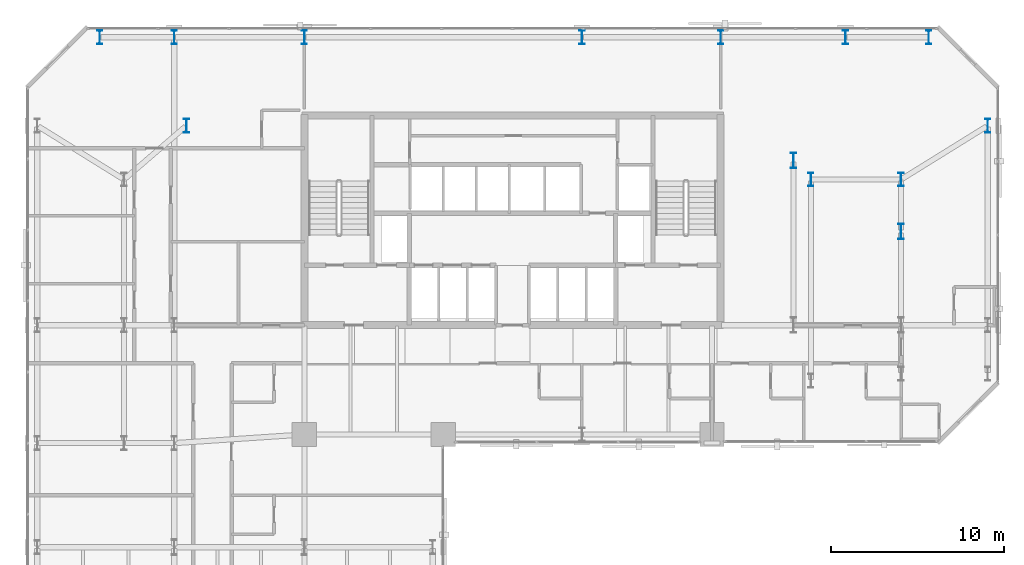
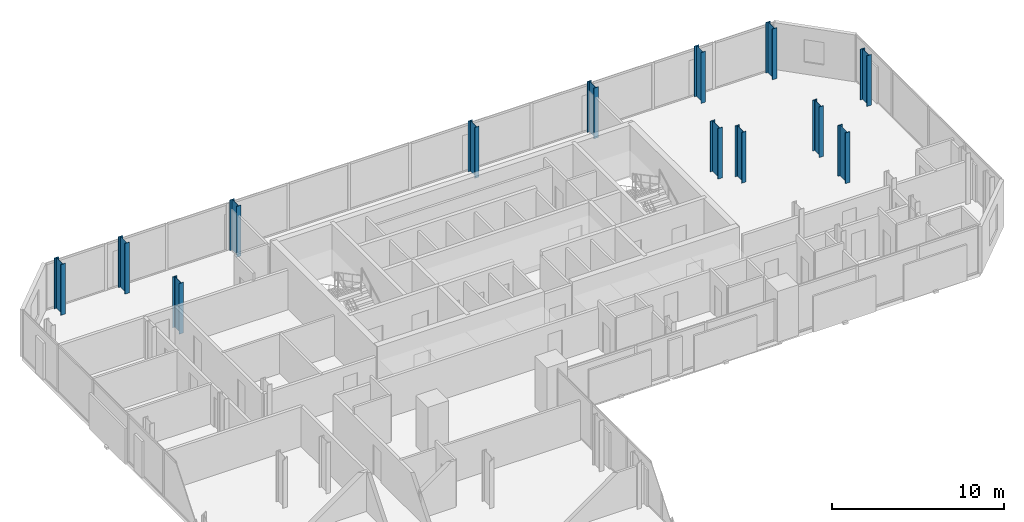
# One storey, part 2 of 32: 13 columns.
"""IFC4 building model written with IfcOpenShell, lengths in metres."""

from ifc_helpers import new_model, si_unit, direction, frame, origin, origin_2d, place, context, subcontext, project, spatial, i_section, extrude, material, material_profile, profile_set, type_object, element, save


model = new_model("IFC4")

# Units and contexts
model_context = context("Model", 3, precision=1e-05, world=origin(), true_north=direction((0.0, 1.0)))
body_context = subcontext(model_context, "Body", "Model", "MODEL_VIEW")
ifc_project = project(units=[si_unit("LENGTHUNIT", "METRE"), si_unit("AREAUNIT", "SQUARE_METRE"), si_unit("VOLUMEUNIT", "CUBIC_METRE"), si_unit("PLANEANGLEUNIT", "RADIAN"), si_unit("MASSUNIT", "GRAM", prefix="KILO")], contexts=[model_context])

# Site, building, storey
site_placement = place(None, origin())
site = spatial("IfcSite", under=ifc_project, at=site_placement, CompositionType="ELEMENT")
building_placement = place(site_placement, origin())
building = spatial("IfcBuilding", under=site, at=building_placement, Name="Catumbela Crestline Tower", CompositionType="ELEMENT")
storey_placement = place(building_placement, frame((0.0, 0.0, 61.8)))
storey = spatial("IfcBuildingStorey", under=building, at=storey_placement, Name="L15", CompositionType="ELEMENT", Elevation=61.8)

# Columns
ifc_material = material(Name="Structural steel S460M", Category="steel")
ifc_material_profile_1 = material_profile(ifc_material, i_section(OverallWidth=0.3, OverallDepth=0.8, WebThickness=0.0175, FlangeThickness=0.033, FilletRadius=0.03, at=origin_2d()), Name="HEB 800")
ifc_profile_set_1 = profile_set([ifc_material_profile_1], Name="Structural steel S460M")
column_type_1 = type_object("IfcColumnType", Name="C-ST-HEB800", PredefinedType="COLUMN", material=ifc_profile_set_1)
for number, where, z_axis, x_axis, name in (
    (1, (9.2, 42.3, 0.0), (0.0, 0.0, 1.0), (1.0, 0.0, 0.0), "L15 Column C-08-43 (HEB 800)"),
    (2, (45.2, 39.2, 0.0), (0.0, 0.0, 1.0), (1.0, 0.0, 0.0), "L15 Column C-46-43 (HEB 800)"),
    (3, (4.2, 47.4, 0.0), (0.0, 0.0, 1.0), (1.0, 0.0, 0.0), "L15 Column C-00-48 (HEB 800)"),
    (4, (8.5, 47.4, 0.0), (0.0, 0.0, 1.0), (1.0, 0.0, 0.0), "L15 Column C-08-48 (HEB 800)"),
    (5, (16.0, 47.4, 0.0), (0.0, 0.0, 1.0), (1.0, 0.0, 0.0), "L15 Column C-16-48 (HEB 800)"),
    (6, (32.0, 47.4, 0.0), (0.0, 0.0, 1.0), (1.0, 0.0, 0.0), "L15 Column C-32-48 (HEB 800)"),
    (7, (40.0, 47.4, 0.0), (0.0, 0.0, 1.0), (1.0, 0.0, 0.0), "L15 Column C-40-48 (HEB 800)"),
    (8, (47.2, 47.4, 0.0), (0.0, 0.0, 1.0), (1.0, 0.0, 0.0), "L15 Column C-48-48 (HEB 800)"),
    (9, (50.4, 39.2, 0.0), (0.0, 0.0, 1.0), (1.0, 0.0, 0.0), "L15 Column C-51-43 (HEB 800)"),
    (10, (55.4, 42.3, 0.0), (0.0, 0.0, 1.0), (1.0, 0.0, 0.0), "L15 Column C-56-43 (HEB 800)"),
    (11, (52.0, 47.4, 0.0), (0.0, 0.0, 1.0), (1.0, 0.0, 0.0), "L15 Column C-56-48 (HEB 800)"),
):
    element("IfcColumn", number, at=place(storey_placement, frame(where, z_axis=z_axis, x_axis=x_axis)), inside=storey, type_object=column_type_1, Name=name, PredefinedType="COLUMN", context=body_context, shape_type="SweptSolid", body=[
        extrude(i_section(OverallWidth=0.3, OverallDepth=0.8, WebThickness=0.0175, FlangeThickness=0.033, FilletRadius=0.03, at=origin_2d()), origin(), (0.0, 0.0, 1.0), 3.6),
    ])
ifc_material_profile_2 = material_profile(ifc_material, i_section(OverallWidth=0.3, OverallDepth=0.9, WebThickness=0.0185, FlangeThickness=0.035, FilletRadius=0.03, at=origin_2d()), Name="HEB 900")
ifc_profile_set_2 = profile_set([ifc_material_profile_2], Name="Structural steel S460M")
column_type_2 = type_object("IfcColumnType", Name="C-ST-HEB900", PredefinedType="COLUMN", material=ifc_profile_set_2)
for number, where, z_axis, x_axis, name in (
    (12, (44.2, 40.3, 0.0), (0.0, 0.0, 1.0), (1.0, 0.0, 0.0), "L15 Column CT-46-37 (HEB 900)"),
    (13, (50.4, 36.2, 0.0), (0.0, 0.0, 1.0), (1.0, 0.0, 0.0), "L15 Column CT-51-37 (HEB 900)"),
):
    element("IfcColumn", number, at=place(storey_placement, frame(where, z_axis=z_axis, x_axis=x_axis)), inside=storey, type_object=column_type_2, Name=name, PredefinedType="COLUMN", context=body_context, shape_type="SweptSolid", body=[
        extrude(i_section(OverallWidth=0.3, OverallDepth=0.9, WebThickness=0.0185, FlangeThickness=0.035, FilletRadius=0.03, at=origin_2d()), origin(), (0.0, 0.0, 1.0), 3.6),
    ])

save(model, "model.ifc")
